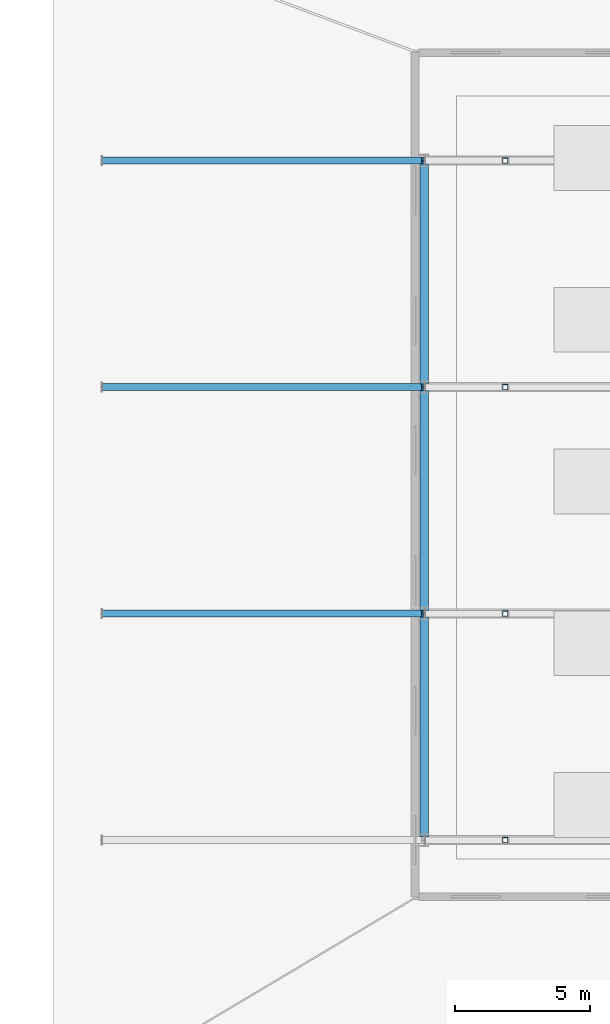
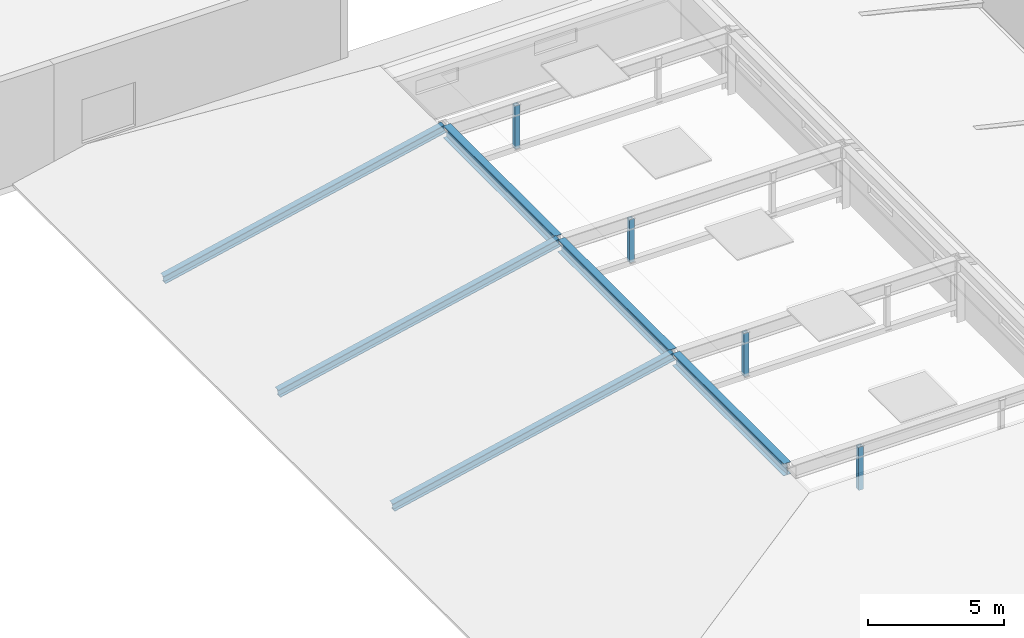
# One storey, part 23 of 91: 7 members, 3 beams.
"""IFC4 building model written with IfcOpenShell, lengths in metres."""

from ifc_helpers import new_model, si_unit, direction, frame, origin, origin_2d, place, context, subcontext, project, spatial, hollow_rectangle, i_section, extrude, material, material_profile, profile_set, type_object, element, save


model = new_model("IFC4")

# Units and contexts
model_context = context("Model", 3, precision=1e-05, world=origin(), true_north=direction((0.0, 1.0)))
body_context = subcontext(model_context, "Body", "Model", "MODEL_VIEW")
ifc_project = project(units=[si_unit("LENGTHUNIT", "METRE"), si_unit("AREAUNIT", "SQUARE_METRE"), si_unit("VOLUMEUNIT", "CUBIC_METRE"), si_unit("PLANEANGLEUNIT", "RADIAN"), si_unit("MASSUNIT", "GRAM", prefix="KILO")], contexts=[model_context])

# Site, building, storey
site_placement = place(None, origin())
site = spatial("IfcSite", under=ifc_project, at=site_placement, CompositionType="ELEMENT")
building_placement = place(site_placement, origin())
building = spatial("IfcBuilding", under=site, at=building_placement, Name="Sollismere Congress Hotel", CompositionType="ELEMENT")
storey_placement = place(building_placement, frame((0.0, 0.0, 10.800048828125)))
storey = spatial("IfcBuildingStorey", under=building, at=storey_placement, Name="L02", CompositionType="ELEMENT", Elevation=10.800048828125)

# Beams
ifc_material_1 = material(Name="Steel ASTM A992 Grade 50", Category="steel")
ifc_material_profile_1 = material_profile(ifc_material_1, i_section(OverallWidth=0.31201171875, OverallDepth=0.5439453125, WebThickness=0.0126953125, FlangeThickness=0.020263671875, at=origin_2d()), Name="W21X101")
ifc_profile_set_1 = profile_set([ifc_material_profile_1], Name="Steel ASTM A992 Grade 50")
beam_type = type_object("IfcBeamType", Name="BM-G21M", PredefinedType="BEAM", material=ifc_profile_set_1)
for number, where, z_axis, x_axis, name in (
    (1, (124.0, 33.320068359375, 2.508056640625), (0.0, 1.0, 0.0), (-1.0, 0.0, 0.0), "Beam BM-L02-3853"),
    (2, (124.0, 41.719970703125, 2.508056640625), (0.0, 1.0, 0.0), (-1.0, 0.0, 0.0), "Beam BM-L02-3856"),
    (3, (124.0, 50.1201171875, 2.508056640625), (0.0, 1.0, 0.0), (-1.0, 0.0, 0.0), "Beam BM-L02-3859"),
):
    element("IfcBeam", number, at=place(storey_placement, frame(where, z_axis=z_axis, x_axis=x_axis)), inside=storey, type_object=beam_type, Name=name, PredefinedType="BEAM", context=body_context, shape_type="SweptSolid", body=[
        extrude(i_section(OverallWidth=0.31201171875, OverallDepth=0.5439453125, WebThickness=0.0126953125, FlangeThickness=0.020263671875, at=origin_2d()), origin(), (0.0, 0.0, 1.0), 8.159912109375),
    ])

# Members
ifc_material_profile_2 = material_profile(ifc_material_1, i_section(OverallWidth=0.257080078125, OverallDepth=0.363037109375, WebThickness=0.012939453125, FlangeThickness=0.021728515625, at=origin_2d()), Name="W14X82")
ifc_profile_set_2 = profile_set([ifc_material_profile_2], Name="Steel ASTM A992 Grade 50")
member_type_1 = type_object("IfcMemberType", Name="MB-RF300", PredefinedType="RAFTER", material=ifc_profile_set_2)
for number, where, z_axis, x_axis, name in (
    (4, (112.06005859375, 41.60009765625, 0.0), (0.976535691422, 0.0, 0.215355620728), (0.0, 1.0, 0.0), "MEM-RF-W02"),
    (5, (112.06005859375, 50.0, 0.0), (0.976535691422, 0.0, 0.215355620728), (0.0, 1.0, 0.0), "MEM-RF-W03"),
    (6, (112.06005859375, 58.39990234375, 0.0), (0.976535691422, 0.0, 0.215355620728), (0.0, 1.0, 0.0), "MEM-RF-W04"),
):
    element("IfcMember", number, at=place(storey_placement, frame(where, z_axis=z_axis, x_axis=x_axis)), inside=storey, type_object=member_type_1, Name=name, PredefinedType="RAFTER", context=body_context, shape_type="SweptSolid", body=[
        extrude(i_section(OverallWidth=0.257080078125, OverallDepth=0.363037109375, WebThickness=0.012939453125, FlangeThickness=0.021728515625, at=origin_2d()), origin(), (0.0, 0.0, 1.0), 12.165283203125),
    ])
ifc_material_2 = material(Name="Steel ASTM A500 Grade C", Category="steel")
ifc_material_profile_3 = material_profile(ifc_material_2, hollow_rectangle(XDim=0.199951171875, YDim=0.199951171875, WallThickness=0.010009765625, at=origin_2d()), Name="HSS200X200X10")
ifc_profile_set_3 = profile_set([ifc_material_profile_3], Name="Steel ASTM A500 Grade C")
member_type_2 = type_object("IfcMemberType", Name="MB-ST200", PredefinedType="STRUT", material=ifc_profile_set_3)
for number, where, z_axis, x_axis, name in (
    (7, (127.0, 33.199951171875, 0.64990234375), (0.0, 0.0, 1.0), (1.0, 0.0, 0.0), "MEM-ST-S11"),
    (8, (127.0, 41.60009765625, 0.64990234375), (0.0, 0.0, 1.0), (1.0, 0.0, 0.0), "MEM-ST-S21"),
    (9, (127.0, 50.0, 0.64990234375), (0.0, 0.0, 1.0), (1.0, 0.0, 0.0), "MEM-ST-S31"),
    (10, (127.0, 58.39990234375, 0.64990234375), (0.0, 0.0, 1.0), (1.0, 0.0, 0.0), "MEM-ST-S41"),
):
    element("IfcMember", number, at=place(storey_placement, frame(where, z_axis=z_axis, x_axis=x_axis)), inside=storey, type_object=member_type_2, Name=name, PredefinedType="STRUT", context=body_context, shape_type="SweptSolid", body=[
        extrude(hollow_rectangle(XDim=0.199951171875, YDim=0.199951171875, WallThickness=0.010009765625, at=origin_2d()), origin(), (0.0, 0.0, 1.0), 1.929931640625),
    ])

save(model, "model.ifc")
